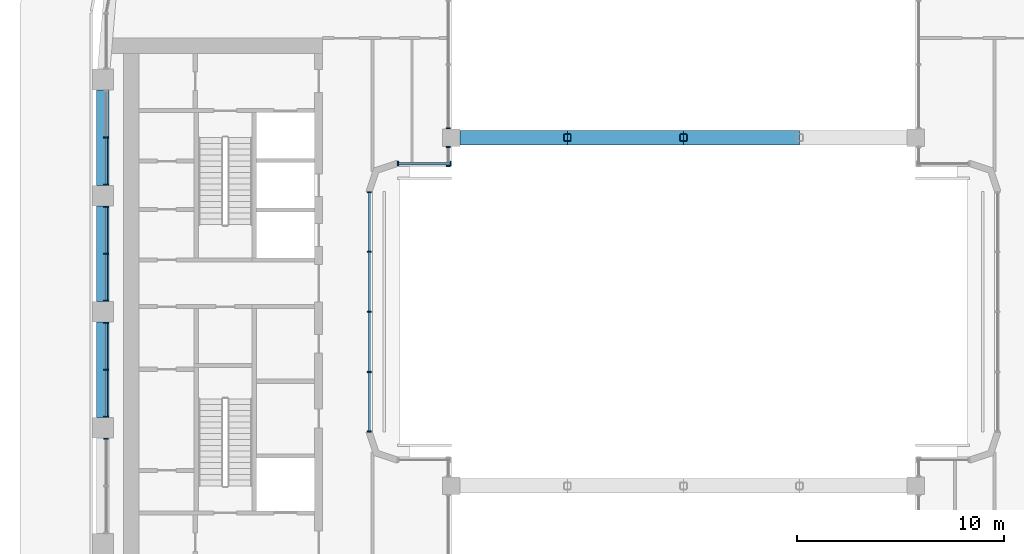
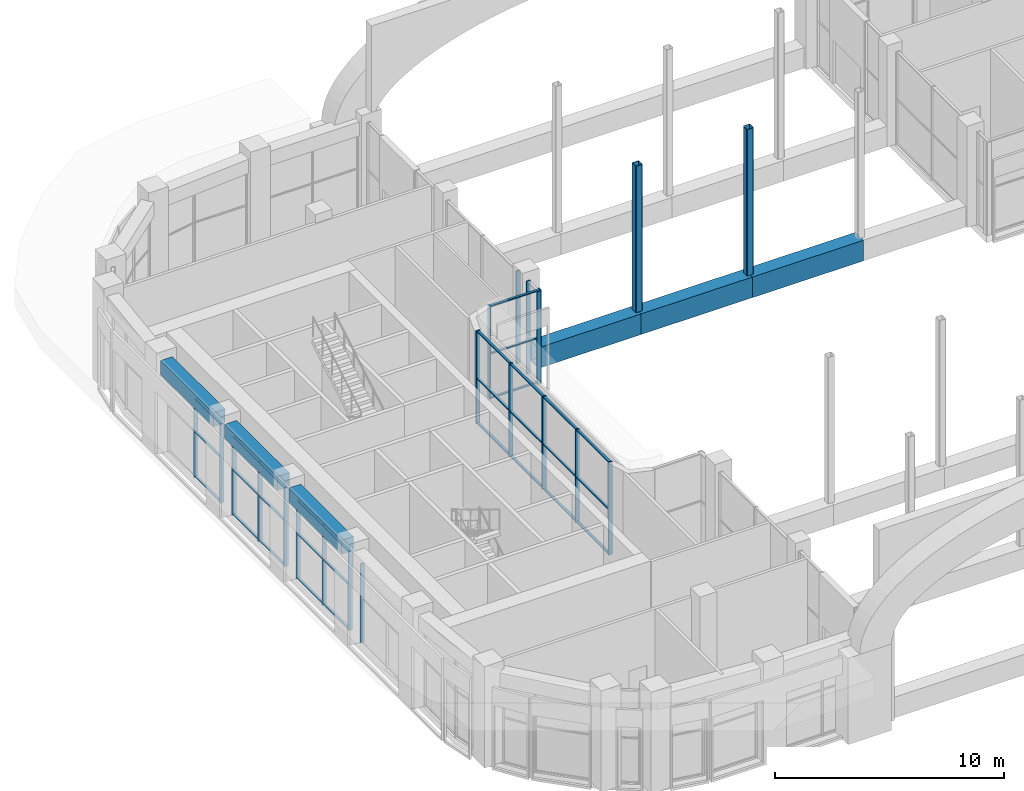
# One storey, part 4 of 28: 54 members, 3 beams, 8 elements without a shape of their own.
"""IFC4 building model written with IfcOpenShell, lengths in metres."""

from ifc_helpers import new_model, si_unit, direction, frame, origin, origin_2d, place, context, subcontext, project, spatial, rectangle, hollow_rectangle, extrude, material, layer, layer_set, material_profile, profile_set, type_object, element, aggregate, save


model = new_model("IFC4")

# Units and contexts
model_context = context("Model", 3, precision=1e-05, world=origin(), true_north=direction((0.0, 1.0)))
body_context = subcontext(model_context, "Body", "Model", "MODEL_VIEW")
ifc_project = project(units=[si_unit("LENGTHUNIT", "METRE"), si_unit("AREAUNIT", "SQUARE_METRE"), si_unit("VOLUMEUNIT", "CUBIC_METRE"), si_unit("PLANEANGLEUNIT", "RADIAN"), si_unit("MASSUNIT", "GRAM", prefix="KILO")], contexts=[model_context])

# Site, building, storey
site_placement = place(None, origin())
site = spatial("IfcSite", under=ifc_project, at=site_placement, CompositionType="ELEMENT")
building_placement = place(site_placement, origin())
building = spatial("IfcBuilding", under=site, at=building_placement, Name="Kiln Ring Residences", CompositionType="ELEMENT")
storey_placement = place(building_placement, frame((0.0, 0.0, 178.10009765625)))
storey = spatial("IfcBuildingStorey", under=building, at=storey_placement, Name="L46", CompositionType="ELEMENT", Elevation=178.10009765625)

# Members
ifc_material_1 = material(Name="Steel S460", Category="steel")
ifc_material_profile_1 = material_profile(ifc_material_1, hollow_rectangle(XDim=0.699951171875, YDim=1.10009765625, WallThickness=0.06005859375, at=origin_2d()), Name="BOX1100x700x60")
ifc_profile_set_1 = profile_set([ifc_material_profile_1], Name="Steel S460")
member_type_1 = type_object("IfcMemberType", Name="Bridge truss chord BOX1100x700x60 S460", PredefinedType="CHORD", material=ifc_profile_set_1)
member_1_placement = place(storey_placement, frame((-10.77490234375, 8.39990234375, 0.5498046875), z_axis=(1.0, 0.0, 0.0), x_axis=(0.0, 1.0, 0.0)))
element("IfcMember", 1, at=member_1_placement, inside=storey, type_object=member_type_1, Name="Bridge truss chord L46 15", PredefinedType="CHORD", context=body_context, shape_type="SweptSolid", body=[
    extrude(hollow_rectangle(XDim=0.699951171875, YDim=1.10009765625, WallThickness=0.06005859375, at=origin_2d()), origin(), (0.0, 0.0, 1.0), 5.1748046875),
])
for number, where, z_axis, x_axis, name in (
    (2, (-5.60009765625, 8.39990234375, 0.5498046875), (1.0, 0.0, 0.0), (0.0, 1.0, 0.0), "Bridge truss chord L46 16"),
    (3, (0.0, 8.39990234375, 0.5498046875), (1.0, 0.0, 0.0), (0.0, 1.0, 0.0), "Bridge truss chord L46 17"),
):
    element("IfcMember", number, at=place(storey_placement, frame(where, z_axis=z_axis, x_axis=x_axis)), inside=storey, type_object=member_type_1, Name=name, PredefinedType="CHORD", context=body_context, shape_type="SweptSolid", body=[
        extrude(hollow_rectangle(XDim=0.699951171875, YDim=1.10009765625, WallThickness=0.06005859375, at=origin_2d()), origin(), (0.0, 0.0, 1.0), 5.60009765625),
    ])
ifc_material_2 = material(Name="Steel S355", Category="steel")
ifc_material_profile_2 = material_profile(ifc_material_2, hollow_rectangle(XDim=0.35009765625, YDim=0.35009765625, WallThickness=0.02001953125, InnerFilletRadius=0.02001953125, OuterFilletRadius=0.050048828125, at=origin_2d()), Name="SHS350x350x20")
ifc_profile_set_2 = profile_set([ifc_material_profile_2], Name="Steel S355")
member_type_2 = type_object("IfcMemberType", Name="Bridge truss post SHS350x350x20 S355", PredefinedType="POST", material=ifc_profile_set_2)
for number, where, z_axis, x_axis, name in (
    (4, (-5.60009765625, 8.39990234375, 1.099853515625), (0.0, 0.0, 1.0), (1.0, 0.0, 0.0), "Bridge truss post L46 10"),
    (5, (0.0, 8.39990234375, 1.099853515625), (0.0, 0.0, 1.0), (1.0, 0.0, 0.0), "Bridge truss post L46 11"),
):
    element("IfcMember", number, at=place(storey_placement, frame(where, z_axis=z_axis, x_axis=x_axis)), inside=storey, type_object=member_type_2, Name=name, PredefinedType="POST", context=body_context, shape_type="SweptSolid", body=[
        extrude(hollow_rectangle(XDim=0.35009765625, YDim=0.35009765625, WallThickness=0.02001953125, InnerFilletRadius=0.02001953125, OuterFilletRadius=0.050048828125, at=origin_2d()), origin(), (0.0, 0.0, 1.0), 7.800048828125),
    ])

# Curtain wall, members
ifc_material_3 = material(Name="Aluminium and glass", Category="aluminium")
ifc_layer = layer(ifc_material_3, 0.199951171875)
ifc_layer_set = layer_set([ifc_layer], Name="CW1 CURTAIN WALL")
curtain_wall_type = type_object("IfcCurtainWallType", Name="CW1 CURTAIN WALL", PredefinedType="NOTDEFINED", material=ifc_layer_set)
placement = place(storey_placement, origin())
curtain_wall_1 = element("IfcCurtainWall", 6, at=placement, inside=storey, type_object=curtain_wall_type, Name="Curtain wall CW1 L46", PredefinedType="NOTDEFINED")
ifc_material_4 = material(Name="Aluminium 6063-T6", Category="aluminium")
ifc_material_profile_3 = material_profile(ifc_material_4, rectangle(XDim=0.199951171875, YDim=0.06005859375, at=origin_2d()), Name="AL 200x60")
ifc_profile_set_3 = profile_set([ifc_material_profile_3], Name="Aluminium 6063-T6")
member_type_3 = type_object("IfcMemberType", Name="CW1 MULLION 200 x 60", PredefinedType="MULLION", material=ifc_profile_set_3)
member_2_placement = place(storey_placement, frame((-15.14990234375, -5.77001953125, 0.0), z_axis=(0.0, 0.0, 1.0), x_axis=(-1.0, 0.0, 0.0)))
member_2 = element("IfcMember", 7, at=member_2_placement, type_object=member_type_3, Name="CW1 mullion 1", PredefinedType="MULLION", context=body_context, shape_type="SweptSolid", body=[
    extrude(rectangle(XDim=0.199951171875, YDim=0.06005859375, at=origin_2d()), origin(), (0.0, 0.0, 1.0), 4.949951171875),
])
member_3_placement = place(storey_placement, frame((-15.14990234375, -2.89990234375, 0.0), z_axis=(0.0, 0.0, 1.0), x_axis=(-1.0, 0.0, 0.0)))
member_3 = element("IfcMember", 8, at=member_3_placement, type_object=member_type_3, Name="CW1 mullion 2", PredefinedType="MULLION", context=body_context, shape_type="SweptSolid", body=[
    extrude(rectangle(XDim=0.199951171875, YDim=0.06005859375, at=origin_2d()), origin(), (0.0, 0.0, 1.0), 4.949951171875),
])
member_4_placement = place(storey_placement, frame((-15.14990234375, 0.0, 0.0), z_axis=(0.0, 0.0, 1.0), x_axis=(-1.0, 0.0, 0.0)))
member_4 = element("IfcMember", 9, at=member_4_placement, type_object=member_type_3, Name="CW1 mullion 3", PredefinedType="MULLION", context=body_context, shape_type="SweptSolid", body=[
    extrude(rectangle(XDim=0.199951171875, YDim=0.06005859375, at=origin_2d()), origin(), (0.0, 0.0, 1.0), 4.949951171875),
])
member_5_placement = place(storey_placement, frame((-15.14990234375, 2.89990234375, 0.0), z_axis=(0.0, 0.0, 1.0), x_axis=(-1.0, 0.0, 0.0)))
member_5 = element("IfcMember", 10, at=member_5_placement, type_object=member_type_3, Name="CW1 mullion 4", PredefinedType="MULLION", context=body_context, shape_type="SweptSolid", body=[
    extrude(rectangle(XDim=0.199951171875, YDim=0.06005859375, at=origin_2d()), origin(), (0.0, 0.0, 1.0), 4.949951171875),
])
member_6_placement = place(storey_placement, frame((-15.14990234375, 5.77001953125, 0.0), z_axis=(0.0, 0.0, 1.0), x_axis=(-1.0, 0.0, 0.0)))
member_6 = element("IfcMember", 11, at=member_6_placement, type_object=member_type_3, Name="CW1 mullion 5", PredefinedType="MULLION", context=body_context, shape_type="SweptSolid", body=[
    extrude(rectangle(XDim=0.199951171875, YDim=0.06005859375, at=origin_2d()), origin(), (0.0, 0.0, 1.0), 4.949951171875),
])

curtain_wall_2 = element("IfcCurtainWall", 12, at=placement, inside=storey, type_object=curtain_wall_type, Name="Curtain wall CW1 L46", PredefinedType="NOTDEFINED")
member_7_placement = place(storey_placement, frame((-13.77001953125, 7.14990234375, 0.0), z_axis=(0.0, 0.0, 1.0), x_axis=(0.0, 1.0, 0.0)))
member_7 = element("IfcMember", 13, at=member_7_placement, type_object=member_type_3, Name="CW1 mullion 1", PredefinedType="MULLION", context=body_context, shape_type="SweptSolid", body=[
    extrude(rectangle(XDim=0.199951171875, YDim=0.06005859375, at=origin_2d()), origin(), (0.0, 0.0, 1.0), 4.949951171875),
])
member_8_placement = place(storey_placement, frame((-11.22998046875, 7.14990234375, 0.0), z_axis=(0.0, 0.0, 1.0), x_axis=(0.0, 1.0, 0.0)))
member_8 = element("IfcMember", 14, at=member_8_placement, type_object=member_type_3, Name="CW1 mullion 2", PredefinedType="MULLION", context=body_context, shape_type="SweptSolid", body=[
    extrude(rectangle(XDim=0.199951171875, YDim=0.06005859375, at=origin_2d()), origin(), (0.0, 0.0, 1.0), 4.949951171875),
])

curtain_wall_3 = element("IfcCurtainWall", 15, at=placement, inside=storey, type_object=curtain_wall_type, Name="Curtain wall CW1 L46", PredefinedType="NOTDEFINED")
member_9_placement = place(storey_placement, frame((-11.35009765625, 7.030029296875, 0.0), z_axis=(0.0, 0.0, 1.0), x_axis=(-1.0, 0.0, 0.0)))
member_9 = element("IfcMember", 16, at=member_9_placement, type_object=member_type_3, Name="CW1 mullion 1", PredefinedType="MULLION", context=body_context, shape_type="SweptSolid", body=[
    extrude(rectangle(XDim=0.199951171875, YDim=0.06005859375, at=origin_2d()), origin(), (0.0, 0.0, 1.0), 4.949951171875),
])
member_10_placement = place(storey_placement, frame((-11.35009765625, 7.945068359375, 0.0), z_axis=(0.0, 0.0, 1.0), x_axis=(-1.0, 0.0, 0.0)))
member_10 = element("IfcMember", 17, at=member_10_placement, type_object=member_type_3, Name="CW1 mullion 2", PredefinedType="MULLION", context=body_context, shape_type="SweptSolid", body=[
    extrude(rectangle(XDim=0.199951171875, YDim=0.06005859375, at=origin_2d()), origin(), (0.0, 0.0, 1.0), 4.949951171875),
])
aggregate(curtain_wall_3, [member_9, member_10])

# Curtain wall, member
curtain_wall_4 = element("IfcCurtainWall", 18, at=placement, inside=storey, type_object=curtain_wall_type, Name="Curtain wall CW1 L46", PredefinedType="NOTDEFINED")
member_11_placement = place(storey_placement, frame((-11.35009765625, 8.85498046875, 0.0), z_axis=(0.0, 0.0, 1.0), x_axis=(-1.0, 0.0, 0.0)))
member_11 = element("IfcMember", 19, at=member_11_placement, type_object=member_type_3, Name="CW1 mullion 1", PredefinedType="MULLION", context=body_context, shape_type="SweptSolid", body=[
    extrude(rectangle(XDim=0.199951171875, YDim=0.06005859375, at=origin_2d()), origin(), (0.0, 0.0, 1.0), 4.949951171875),
])
aggregate(curtain_wall_4, [member_11])

# Curtain wall, members
curtain_wall_5 = element("IfcCurtainWall", 20, at=placement, inside=storey, type_object=curtain_wall_type, Name="Curtain wall CW1 L46", PredefinedType="NOTDEFINED")
member_12_placement = place(storey_placement, frame((-27.85009765625, 8.39990234375, 0.0), z_axis=(0.0, 0.0, 1.0), x_axis=(1.0, 0.0, 0.0)))
member_12 = element("IfcMember", 21, at=member_12_placement, type_object=member_type_3, Name="CW1 mullion 2", PredefinedType="MULLION", context=body_context, shape_type="SweptSolid", body=[
    extrude(rectangle(XDim=0.199951171875, YDim=0.06005859375, at=origin_2d()), origin(), (0.0, 0.0, 1.0), 4.199951171875),
])
member_13_placement = place(storey_placement, frame((-27.85009765625, 6.1298828125, 0.0), z_axis=(0.0, 0.0, 1.0), x_axis=(1.0, 0.0, 0.0)))
member_13 = element("IfcMember", 22, at=member_13_placement, type_object=member_type_3, Name="CW1 mullion 3", PredefinedType="MULLION", context=body_context, shape_type="SweptSolid", body=[
    extrude(rectangle(XDim=0.199951171875, YDim=0.06005859375, at=origin_2d()), origin(), (0.0, 0.0, 1.0), 4.199951171875),
])

curtain_wall_6 = element("IfcCurtainWall", 23, at=placement, inside=storey, type_object=curtain_wall_type, Name="Curtain wall CW1 L46", PredefinedType="NOTDEFINED")
member_14_placement = place(storey_placement, frame((-27.85009765625, 5.070068359375, 0.0), z_axis=(0.0, 0.0, 1.0), x_axis=(1.0, 0.0, 0.0)))
member_14 = element("IfcMember", 24, at=member_14_placement, type_object=member_type_3, Name="CW1 mullion 1", PredefinedType="MULLION", context=body_context, shape_type="SweptSolid", body=[
    extrude(rectangle(XDim=0.199951171875, YDim=0.06005859375, at=origin_2d()), origin(), (0.0, 0.0, 1.0), 4.199951171875),
])
member_15_placement = place(storey_placement, frame((-27.85009765625, 2.800048828125, 0.0), z_axis=(0.0, 0.0, 1.0), x_axis=(1.0, 0.0, 0.0)))
member_15 = element("IfcMember", 25, at=member_15_placement, type_object=member_type_3, Name="CW1 mullion 2", PredefinedType="MULLION", context=body_context, shape_type="SweptSolid", body=[
    extrude(rectangle(XDim=0.199951171875, YDim=0.06005859375, at=origin_2d()), origin(), (0.0, 0.0, 1.0), 4.199951171875),
])
member_16_placement = place(storey_placement, frame((-27.85009765625, 0.530029296875, 0.0), z_axis=(0.0, 0.0, 1.0), x_axis=(1.0, 0.0, 0.0)))
member_16 = element("IfcMember", 26, at=member_16_placement, type_object=member_type_3, Name="CW1 mullion 3", PredefinedType="MULLION", context=body_context, shape_type="SweptSolid", body=[
    extrude(rectangle(XDim=0.199951171875, YDim=0.06005859375, at=origin_2d()), origin(), (0.0, 0.0, 1.0), 4.199951171875),
])

curtain_wall_7 = element("IfcCurtainWall", 27, at=placement, inside=storey, type_object=curtain_wall_type, Name="Curtain wall CW1 L46", PredefinedType="NOTDEFINED")
member_17_placement = place(storey_placement, frame((-27.85009765625, -0.530029296875, 0.0), z_axis=(0.0, 0.0, 1.0), x_axis=(1.0, 0.0, 0.0)))
member_17 = element("IfcMember", 28, at=member_17_placement, type_object=member_type_3, Name="CW1 mullion 1", PredefinedType="MULLION", context=body_context, shape_type="SweptSolid", body=[
    extrude(rectangle(XDim=0.199951171875, YDim=0.06005859375, at=origin_2d()), origin(), (0.0, 0.0, 1.0), 4.199951171875),
])
member_18_placement = place(storey_placement, frame((-27.85009765625, -2.800048828125, 0.0), z_axis=(0.0, 0.0, 1.0), x_axis=(1.0, 0.0, 0.0)))
member_18 = element("IfcMember", 29, at=member_18_placement, type_object=member_type_3, Name="CW1 mullion 2", PredefinedType="MULLION", context=body_context, shape_type="SweptSolid", body=[
    extrude(rectangle(XDim=0.199951171875, YDim=0.06005859375, at=origin_2d()), origin(), (0.0, 0.0, 1.0), 4.199951171875),
])
member_19_placement = place(storey_placement, frame((-27.85009765625, -5.070068359375, 0.0), z_axis=(0.0, 0.0, 1.0), x_axis=(1.0, 0.0, 0.0)))
member_19 = element("IfcMember", 30, at=member_19_placement, type_object=member_type_3, Name="CW1 mullion 3", PredefinedType="MULLION", context=body_context, shape_type="SweptSolid", body=[
    extrude(rectangle(XDim=0.199951171875, YDim=0.06005859375, at=origin_2d()), origin(), (0.0, 0.0, 1.0), 4.199951171875),
])

# Curtain wall, member
curtain_wall_8 = element("IfcCurtainWall", 31, at=placement, inside=storey, type_object=curtain_wall_type, Name="Curtain wall CW1 L46", PredefinedType="NOTDEFINED")
member_20_placement = place(storey_placement, frame((-27.85009765625, -6.1298828125, 0.0), z_axis=(0.0, 0.0, 1.0), x_axis=(1.0, 0.0, 0.0)))
member_20 = element("IfcMember", 32, at=member_20_placement, type_object=member_type_3, Name="CW1 mullion 1", PredefinedType="MULLION", context=body_context, shape_type="SweptSolid", body=[
    extrude(rectangle(XDim=0.199951171875, YDim=0.06005859375, at=origin_2d()), origin(), (0.0, 0.0, 1.0), 4.199951171875),
])
aggregate(curtain_wall_8, [member_20])

# Member
ifc_material_5 = material(Name="Aluminium 6063-T6", Category="aluminium")
ifc_material_profile_4 = material_profile(ifc_material_5, rectangle(XDim=0.1201171875, YDim=0.06005859375, at=origin_2d()), Name="AL 120x60")
ifc_profile_set_4 = profile_set([ifc_material_profile_4], Name="Aluminium 6063-T6")
member_type_4 = type_object("IfcMemberType", Name="CW1 TRANSOM 120 x 60", PredefinedType="USERDEFINED", material=ifc_profile_set_4)
member_21_placement = place(storey_placement, frame((-15.14990234375, -5.739990234375, 0.02978515625), z_axis=(0.0, 1.0, 0.0), x_axis=(-1.0, 0.0, 0.0)))
member_21 = element("IfcMember", 33, at=member_21_placement, type_object=member_type_4, Name="CW1 transom 1.1", ObjectType="TRANSOM", PredefinedType="USERDEFINED", context=body_context, shape_type="SweptSolid", body=[
    extrude(rectangle(XDim=0.1201171875, YDim=0.06005859375, at=origin_2d()), origin(), (0.0, 0.0, 1.0), 2.81005859375),
])

member_22_placement = place(storey_placement, frame((-15.14990234375, -5.739990234375, 2.39990234375), z_axis=(0.0, 1.0, 0.0), x_axis=(-1.0, 0.0, 0.0)))
member_22 = element("IfcMember", 34, at=member_22_placement, type_object=member_type_4, Name="CW1 transom 1.2", ObjectType="TRANSOM", PredefinedType="USERDEFINED", context=body_context, shape_type="SweptSolid", body=[
    extrude(rectangle(XDim=0.1201171875, YDim=0.06005859375, at=origin_2d()), origin(), (0.0, 0.0, 1.0), 2.81005859375),
])

member_23_placement = place(storey_placement, frame((-15.14990234375, -5.739990234375, 4.919921875), z_axis=(0.0, 1.0, 0.0), x_axis=(-1.0, 0.0, 0.0)))
member_23 = element("IfcMember", 35, at=member_23_placement, type_object=member_type_4, Name="CW1 transom 1.3", ObjectType="TRANSOM", PredefinedType="USERDEFINED", context=body_context, shape_type="SweptSolid", body=[
    extrude(rectangle(XDim=0.1201171875, YDim=0.06005859375, at=origin_2d()), origin(), (0.0, 0.0, 1.0), 2.81005859375),
])

member_24_placement = place(storey_placement, frame((-15.14990234375, -2.8701171875, 0.02978515625), z_axis=(0.0, 1.0, 0.0), x_axis=(-1.0, 0.0, 0.0)))
member_24 = element("IfcMember", 36, at=member_24_placement, type_object=member_type_4, Name="CW1 transom 2.1", ObjectType="TRANSOM", PredefinedType="USERDEFINED", context=body_context, shape_type="SweptSolid", body=[
    extrude(rectangle(XDim=0.1201171875, YDim=0.06005859375, at=origin_2d()), origin(), (0.0, 0.0, 1.0), 2.840087890625),
])

member_25_placement = place(storey_placement, frame((-15.14990234375, -2.8701171875, 2.39990234375), z_axis=(0.0, 1.0, 0.0), x_axis=(-1.0, 0.0, 0.0)))
member_25 = element("IfcMember", 37, at=member_25_placement, type_object=member_type_4, Name="CW1 transom 2.2", ObjectType="TRANSOM", PredefinedType="USERDEFINED", context=body_context, shape_type="SweptSolid", body=[
    extrude(rectangle(XDim=0.1201171875, YDim=0.06005859375, at=origin_2d()), origin(), (0.0, 0.0, 1.0), 2.840087890625),
])

member_26_placement = place(storey_placement, frame((-15.14990234375, -2.8701171875, 4.919921875), z_axis=(0.0, 1.0, 0.0), x_axis=(-1.0, 0.0, 0.0)))
member_26 = element("IfcMember", 38, at=member_26_placement, type_object=member_type_4, Name="CW1 transom 2.3", ObjectType="TRANSOM", PredefinedType="USERDEFINED", context=body_context, shape_type="SweptSolid", body=[
    extrude(rectangle(XDim=0.1201171875, YDim=0.06005859375, at=origin_2d()), origin(), (0.0, 0.0, 1.0), 2.840087890625),
])

member_27_placement = place(storey_placement, frame((-15.14990234375, 0.030029296875, 0.02978515625), z_axis=(0.0, 1.0, 0.0), x_axis=(-1.0, 0.0, 0.0)))
member_27 = element("IfcMember", 39, at=member_27_placement, type_object=member_type_4, Name="CW1 transom 3.1", ObjectType="TRANSOM", PredefinedType="USERDEFINED", context=body_context, shape_type="SweptSolid", body=[
    extrude(rectangle(XDim=0.1201171875, YDim=0.06005859375, at=origin_2d()), origin(), (0.0, 0.0, 1.0), 2.840087890625),
])

member_28_placement = place(storey_placement, frame((-15.14990234375, 0.030029296875, 2.39990234375), z_axis=(0.0, 1.0, 0.0), x_axis=(-1.0, 0.0, 0.0)))
member_28 = element("IfcMember", 40, at=member_28_placement, type_object=member_type_4, Name="CW1 transom 3.2", ObjectType="TRANSOM", PredefinedType="USERDEFINED", context=body_context, shape_type="SweptSolid", body=[
    extrude(rectangle(XDim=0.1201171875, YDim=0.06005859375, at=origin_2d()), origin(), (0.0, 0.0, 1.0), 2.840087890625),
])

member_29_placement = place(storey_placement, frame((-15.14990234375, 0.030029296875, 4.919921875), z_axis=(0.0, 1.0, 0.0), x_axis=(-1.0, 0.0, 0.0)))
member_29 = element("IfcMember", 41, at=member_29_placement, type_object=member_type_4, Name="CW1 transom 3.3", ObjectType="TRANSOM", PredefinedType="USERDEFINED", context=body_context, shape_type="SweptSolid", body=[
    extrude(rectangle(XDim=0.1201171875, YDim=0.06005859375, at=origin_2d()), origin(), (0.0, 0.0, 1.0), 2.840087890625),
])

member_30_placement = place(storey_placement, frame((-15.14990234375, 2.929931640625, 0.02978515625), z_axis=(0.0, 1.0, 0.0), x_axis=(-1.0, 0.0, 0.0)))
member_30 = element("IfcMember", 42, at=member_30_placement, type_object=member_type_4, Name="CW1 transom 4.1", ObjectType="TRANSOM", PredefinedType="USERDEFINED", context=body_context, shape_type="SweptSolid", body=[
    extrude(rectangle(XDim=0.1201171875, YDim=0.06005859375, at=origin_2d()), origin(), (0.0, 0.0, 1.0), 2.81005859375),
])

member_31_placement = place(storey_placement, frame((-15.14990234375, 2.929931640625, 2.39990234375), z_axis=(0.0, 1.0, 0.0), x_axis=(-1.0, 0.0, 0.0)))
member_31 = element("IfcMember", 43, at=member_31_placement, type_object=member_type_4, Name="CW1 transom 4.2", ObjectType="TRANSOM", PredefinedType="USERDEFINED", context=body_context, shape_type="SweptSolid", body=[
    extrude(rectangle(XDim=0.1201171875, YDim=0.06005859375, at=origin_2d()), origin(), (0.0, 0.0, 1.0), 2.81005859375),
])

member_32_placement = place(storey_placement, frame((-15.14990234375, 2.929931640625, 4.919921875), z_axis=(0.0, 1.0, 0.0), x_axis=(-1.0, 0.0, 0.0)))
member_32 = element("IfcMember", 44, at=member_32_placement, type_object=member_type_4, Name="CW1 transom 4.3", ObjectType="TRANSOM", PredefinedType="USERDEFINED", context=body_context, shape_type="SweptSolid", body=[
    extrude(rectangle(XDim=0.1201171875, YDim=0.06005859375, at=origin_2d()), origin(), (0.0, 0.0, 1.0), 2.81005859375),
])

aggregate(curtain_wall_1, [member_2, member_3, member_4, member_5, member_6, member_21, member_22, member_23, member_24, member_25, member_26, member_27, member_28, member_29, member_30, member_31, member_32])

member_33_placement = place(storey_placement, frame((-13.739990234375, 7.14990234375, 0.02978515625), z_axis=(1.0, 0.0, 0.0), x_axis=(0.0, 1.0, 0.0)))
member_33 = element("IfcMember", 45, at=member_33_placement, type_object=member_type_4, Name="CW1 transom 1.1", ObjectType="TRANSOM", PredefinedType="USERDEFINED", context=body_context, shape_type="SweptSolid", body=[
    extrude(rectangle(XDim=0.1201171875, YDim=0.06005859375, at=origin_2d()), origin(), (0.0, 0.0, 1.0), 2.47998046875),
])

member_34_placement = place(storey_placement, frame((-13.739990234375, 7.14990234375, 2.39990234375), z_axis=(1.0, 0.0, 0.0), x_axis=(0.0, 1.0, 0.0)))
member_34 = element("IfcMember", 46, at=member_34_placement, type_object=member_type_4, Name="CW1 transom 1.2", ObjectType="TRANSOM", PredefinedType="USERDEFINED", context=body_context, shape_type="SweptSolid", body=[
    extrude(rectangle(XDim=0.1201171875, YDim=0.06005859375, at=origin_2d()), origin(), (0.0, 0.0, 1.0), 2.47998046875),
])

member_35_placement = place(storey_placement, frame((-13.739990234375, 7.14990234375, 4.919921875), z_axis=(1.0, 0.0, 0.0), x_axis=(0.0, 1.0, 0.0)))
member_35 = element("IfcMember", 47, at=member_35_placement, type_object=member_type_4, Name="CW1 transom 1.3", ObjectType="TRANSOM", PredefinedType="USERDEFINED", context=body_context, shape_type="SweptSolid", body=[
    extrude(rectangle(XDim=0.1201171875, YDim=0.06005859375, at=origin_2d()), origin(), (0.0, 0.0, 1.0), 2.47998046875),
])

aggregate(curtain_wall_2, [member_7, member_8, member_33, member_34, member_35])

member_36_placement = place(storey_placement, frame((-27.85009765625, 8.3701171875, 0.02978515625), z_axis=(0.0, -1.0, 0.0), x_axis=(1.0, 0.0, 0.0)))
member_36 = element("IfcMember", 48, at=member_36_placement, type_object=member_type_4, Name="CW1 transom 2.1", ObjectType="TRANSOM", PredefinedType="USERDEFINED", context=body_context, shape_type="SweptSolid", body=[
    extrude(rectangle(XDim=0.1201171875, YDim=0.06005859375, at=origin_2d()), origin(), (0.0, 0.0, 1.0), 2.210205078125),
])

member_37_placement = place(storey_placement, frame((-27.85009765625, 8.3701171875, 2.39990234375), z_axis=(0.0, -1.0, 0.0), x_axis=(1.0, 0.0, 0.0)))
member_37 = element("IfcMember", 49, at=member_37_placement, type_object=member_type_4, Name="CW1 transom 2.2", ObjectType="TRANSOM", PredefinedType="USERDEFINED", context=body_context, shape_type="SweptSolid", body=[
    extrude(rectangle(XDim=0.1201171875, YDim=0.06005859375, at=origin_2d()), origin(), (0.0, 0.0, 1.0), 2.210205078125),
])

member_38_placement = place(storey_placement, frame((-27.85009765625, 8.3701171875, 4.169921875), z_axis=(0.0, -1.0, 0.0), x_axis=(1.0, 0.0, 0.0)))
member_38 = element("IfcMember", 50, at=member_38_placement, type_object=member_type_4, Name="CW1 transom 2.3", ObjectType="TRANSOM", PredefinedType="USERDEFINED", context=body_context, shape_type="SweptSolid", body=[
    extrude(rectangle(XDim=0.1201171875, YDim=0.06005859375, at=origin_2d()), origin(), (0.0, 0.0, 1.0), 2.210205078125),
])

aggregate(curtain_wall_5, [member_12, member_13, member_36, member_37, member_38])

member_39_placement = place(storey_placement, frame((-27.85009765625, 5.0400390625, 0.02978515625), z_axis=(0.0, -1.0, 0.0), x_axis=(1.0, 0.0, 0.0)))
member_39 = element("IfcMember", 51, at=member_39_placement, type_object=member_type_4, Name="CW1 transom 1.1", ObjectType="TRANSOM", PredefinedType="USERDEFINED", context=body_context, shape_type="SweptSolid", body=[
    extrude(rectangle(XDim=0.1201171875, YDim=0.06005859375, at=origin_2d()), origin(), (0.0, 0.0, 1.0), 2.2099609375),
])

member_40_placement = place(storey_placement, frame((-27.85009765625, 5.0400390625, 2.39990234375), z_axis=(0.0, -1.0, 0.0), x_axis=(1.0, 0.0, 0.0)))
member_40 = element("IfcMember", 52, at=member_40_placement, type_object=member_type_4, Name="CW1 transom 1.2", ObjectType="TRANSOM", PredefinedType="USERDEFINED", context=body_context, shape_type="SweptSolid", body=[
    extrude(rectangle(XDim=0.1201171875, YDim=0.06005859375, at=origin_2d()), origin(), (0.0, 0.0, 1.0), 2.2099609375),
])

member_41_placement = place(storey_placement, frame((-27.85009765625, 5.0400390625, 4.169921875), z_axis=(0.0, -1.0, 0.0), x_axis=(1.0, 0.0, 0.0)))
member_41 = element("IfcMember", 53, at=member_41_placement, type_object=member_type_4, Name="CW1 transom 1.3", ObjectType="TRANSOM", PredefinedType="USERDEFINED", context=body_context, shape_type="SweptSolid", body=[
    extrude(rectangle(XDim=0.1201171875, YDim=0.06005859375, at=origin_2d()), origin(), (0.0, 0.0, 1.0), 2.2099609375),
])

member_42_placement = place(storey_placement, frame((-27.85009765625, 2.77001953125, 0.02978515625), z_axis=(0.0, -1.0, 0.0), x_axis=(1.0, 0.0, 0.0)))
member_42 = element("IfcMember", 54, at=member_42_placement, type_object=member_type_4, Name="CW1 transom 2.1", ObjectType="TRANSOM", PredefinedType="USERDEFINED", context=body_context, shape_type="SweptSolid", body=[
    extrude(rectangle(XDim=0.1201171875, YDim=0.06005859375, at=origin_2d()), origin(), (0.0, 0.0, 1.0), 2.2099609375),
])

member_43_placement = place(storey_placement, frame((-27.85009765625, 2.77001953125, 2.39990234375), z_axis=(0.0, -1.0, 0.0), x_axis=(1.0, 0.0, 0.0)))
member_43 = element("IfcMember", 55, at=member_43_placement, type_object=member_type_4, Name="CW1 transom 2.2", ObjectType="TRANSOM", PredefinedType="USERDEFINED", context=body_context, shape_type="SweptSolid", body=[
    extrude(rectangle(XDim=0.1201171875, YDim=0.06005859375, at=origin_2d()), origin(), (0.0, 0.0, 1.0), 2.2099609375),
])

member_44_placement = place(storey_placement, frame((-27.85009765625, 2.77001953125, 4.169921875), z_axis=(0.0, -1.0, 0.0), x_axis=(1.0, 0.0, 0.0)))
member_44 = element("IfcMember", 56, at=member_44_placement, type_object=member_type_4, Name="CW1 transom 2.3", ObjectType="TRANSOM", PredefinedType="USERDEFINED", context=body_context, shape_type="SweptSolid", body=[
    extrude(rectangle(XDim=0.1201171875, YDim=0.06005859375, at=origin_2d()), origin(), (0.0, 0.0, 1.0), 2.2099609375),
])

aggregate(curtain_wall_6, [member_14, member_15, member_16, member_39, member_40, member_41, member_42, member_43, member_44])

member_45_placement = place(storey_placement, frame((-27.85009765625, -0.56005859375, 0.02978515625), z_axis=(0.0, -1.0, 0.0), x_axis=(1.0, 0.0, 0.0)))
member_45 = element("IfcMember", 57, at=member_45_placement, type_object=member_type_4, Name="CW1 transom 1.1", ObjectType="TRANSOM", PredefinedType="USERDEFINED", context=body_context, shape_type="SweptSolid", body=[
    extrude(rectangle(XDim=0.1201171875, YDim=0.06005859375, at=origin_2d()), origin(), (0.0, 0.0, 1.0), 2.2099609375),
])

member_46_placement = place(storey_placement, frame((-27.85009765625, -0.56005859375, 2.39990234375), z_axis=(0.0, -1.0, 0.0), x_axis=(1.0, 0.0, 0.0)))
member_46 = element("IfcMember", 58, at=member_46_placement, type_object=member_type_4, Name="CW1 transom 1.2", ObjectType="TRANSOM", PredefinedType="USERDEFINED", context=body_context, shape_type="SweptSolid", body=[
    extrude(rectangle(XDim=0.1201171875, YDim=0.06005859375, at=origin_2d()), origin(), (0.0, 0.0, 1.0), 2.2099609375),
])

member_47_placement = place(storey_placement, frame((-27.85009765625, -0.56005859375, 4.169921875), z_axis=(0.0, -1.0, 0.0), x_axis=(1.0, 0.0, 0.0)))
member_47 = element("IfcMember", 59, at=member_47_placement, type_object=member_type_4, Name="CW1 transom 1.3", ObjectType="TRANSOM", PredefinedType="USERDEFINED", context=body_context, shape_type="SweptSolid", body=[
    extrude(rectangle(XDim=0.1201171875, YDim=0.06005859375, at=origin_2d()), origin(), (0.0, 0.0, 1.0), 2.2099609375),
])

member_48_placement = place(storey_placement, frame((-27.85009765625, -2.830078125, 0.02978515625), z_axis=(0.0, -1.0, 0.0), x_axis=(1.0, 0.0, 0.0)))
member_48 = element("IfcMember", 60, at=member_48_placement, type_object=member_type_4, Name="CW1 transom 2.1", ObjectType="TRANSOM", PredefinedType="USERDEFINED", context=body_context, shape_type="SweptSolid", body=[
    extrude(rectangle(XDim=0.1201171875, YDim=0.06005859375, at=origin_2d()), origin(), (0.0, 0.0, 1.0), 2.2099609375),
])

member_49_placement = place(storey_placement, frame((-27.85009765625, -2.830078125, 2.39990234375), z_axis=(0.0, -1.0, 0.0), x_axis=(1.0, 0.0, 0.0)))
member_49 = element("IfcMember", 61, at=member_49_placement, type_object=member_type_4, Name="CW1 transom 2.2", ObjectType="TRANSOM", PredefinedType="USERDEFINED", context=body_context, shape_type="SweptSolid", body=[
    extrude(rectangle(XDim=0.1201171875, YDim=0.06005859375, at=origin_2d()), origin(), (0.0, 0.0, 1.0), 2.2099609375),
])

member_50_placement = place(storey_placement, frame((-27.85009765625, -2.830078125, 4.169921875), z_axis=(0.0, -1.0, 0.0), x_axis=(1.0, 0.0, 0.0)))
member_50 = element("IfcMember", 62, at=member_50_placement, type_object=member_type_4, Name="CW1 transom 2.3", ObjectType="TRANSOM", PredefinedType="USERDEFINED", context=body_context, shape_type="SweptSolid", body=[
    extrude(rectangle(XDim=0.1201171875, YDim=0.06005859375, at=origin_2d()), origin(), (0.0, 0.0, 1.0), 2.2099609375),
])

aggregate(curtain_wall_7, [member_17, member_18, member_19, member_45, member_46, member_47, member_48, member_49, member_50])

# Beams
ifc_material_6 = material(Name="Concrete C50/60", Category="concrete")
ifc_material_profile_5 = material_profile(ifc_material_6, rectangle(XDim=0.60009765625, YDim=0.75, at=origin_2d()), Name="RC600x750")
ifc_profile_set_5 = profile_set([ifc_material_profile_5], Name="Concrete C50/60")
beam_type = type_object("IfcBeamType", Name="Spandrel beam RC600x750 C50/60", PredefinedType="SPANDREL", material=ifc_profile_set_5)
beam_placement = place(storey_placement, frame((-28.0, 10.699951171875, 4.574951171875), z_axis=(0.0, -1.0, 0.0), x_axis=(1.0, 0.0, 0.0)))
element("IfcBeam", 63, at=beam_placement, inside=storey, type_object=beam_type, Name="Spandrel beam L46 19", PredefinedType="SPANDREL", context=body_context, shape_type="SweptSolid", body=[
    extrude(rectangle(XDim=0.60009765625, YDim=0.75, at=origin_2d()), origin(), (0.0, 0.0, 1.0), 4.599853515625),
])
for number, where, z_axis, x_axis, name in (
    (64, (-28.0, 5.10009765625, 4.574951171875), (0.0, -1.0, 0.0), (1.0, 0.0, 0.0), "Spandrel beam L46 20"),
    (65, (-28.0, -0.5, 4.574951171875), (0.0, -1.0, 0.0), (1.0, 0.0, 0.0), "Spandrel beam L46 21"),
):
    element("IfcBeam", number, at=place(storey_placement, frame(where, z_axis=z_axis, x_axis=x_axis)), inside=storey, type_object=beam_type, Name=name, PredefinedType="SPANDREL", context=body_context, shape_type="SweptSolid", body=[
        extrude(rectangle(XDim=0.60009765625, YDim=0.75, at=origin_2d()), origin(), (0.0, 0.0, 1.0), 4.60009765625),
    ])

save(model, "model.ifc")
